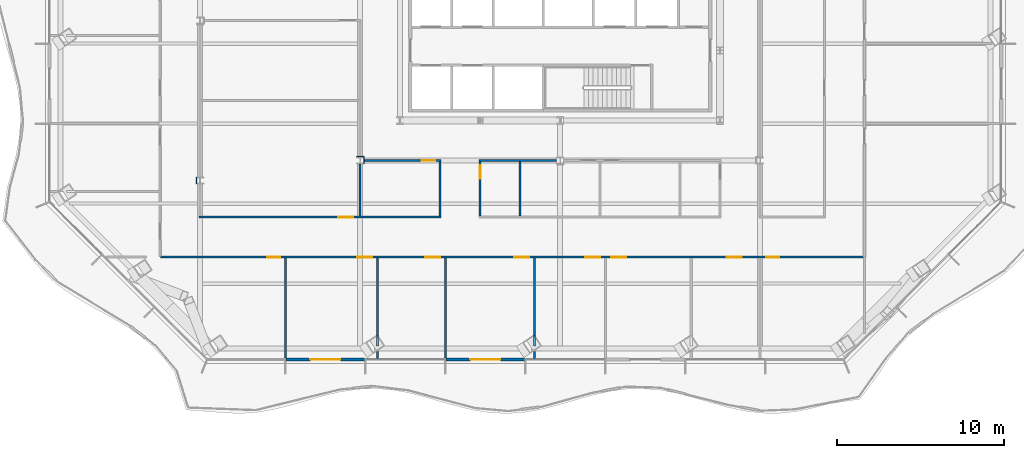
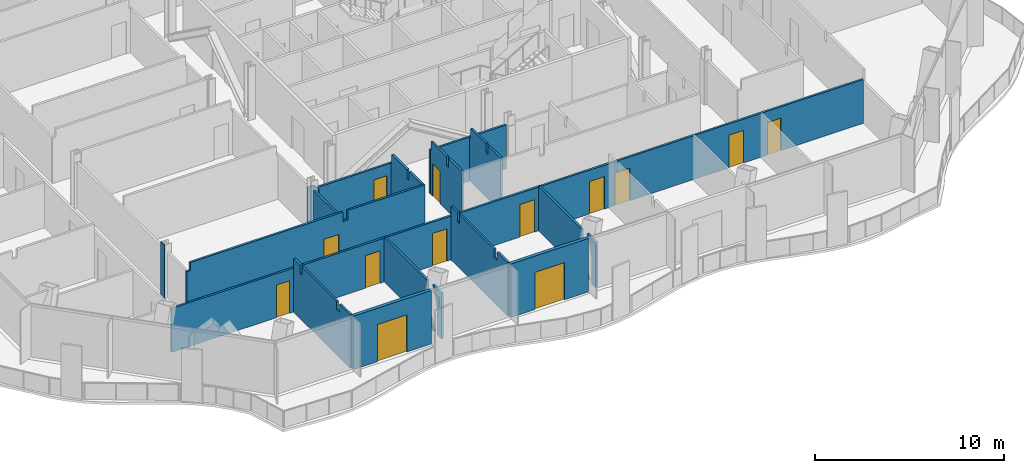
# One storey, part 7 of 22: 19 walls, 13 doors, 13 openings.
"""IFC4 building model written with IfcOpenShell, lengths in metres."""

from ifc_helpers import new_model, si_unit, direction, frame, frame_2d, origin, place, context, subcontext, project, spatial, polyline, rectangle, outline, extrude, material, layer, layer_set, type_object, element, fill, save


model = new_model("IFC4")

# Units and contexts
model_context = context("Model", 3, precision=1e-05, world=origin(), true_north=direction((0.0, 1.0)))
body_context = subcontext(model_context, "Body", "Model", "MODEL_VIEW")
ifc_project = project(units=[si_unit("LENGTHUNIT", "METRE"), si_unit("AREAUNIT", "SQUARE_METRE"), si_unit("VOLUMEUNIT", "CUBIC_METRE"), si_unit("PLANEANGLEUNIT", "RADIAN"), si_unit("MASSUNIT", "GRAM", prefix="KILO")], contexts=[model_context])

# Site, building, storey
site_placement = place(None, origin())
site = spatial("IfcSite", under=ifc_project, at=site_placement, CompositionType="ELEMENT")
building_placement = place(site_placement, origin())
building = spatial("IfcBuilding", under=site, at=building_placement, Name="Cairn Pilgrim Tower", CompositionType="ELEMENT")
storey_placement = place(building_placement, frame((0.0, 0.0, 105.0)))
storey = spatial("IfcBuildingStorey", under=building, at=storey_placement, Name="L25", CompositionType="ELEMENT", Elevation=105.0)

# Wall, opening, door
ifc_material_1 = material(Name="Bronze anodised aluminium insulated sandwich panel with mineral wool fill", Category="aluminium")
ifc_layer_1 = layer(ifc_material_1, 0.199951171875)
ifc_layer_set_1 = layer_set([ifc_layer_1], Name="BRONZE INFILL FRAME WALL 200")
wall_type_1 = type_object("IfcWallType", Name="BRONZE INFILL FRAME WALL 200", PredefinedType="NOTDEFINED", material=ifc_layer_set_1)
wall_1_placement = place(storey_placement, frame((-9.257080078125, -20.34130859375, 0.0), z_axis=(0.0, 0.0, 1.0), x_axis=(1.0, 0.0, 0.0)))
wall_1 = element("IfcWall", 1, at=wall_1_placement, inside=storey, type_object=wall_type_1, Name="Bronze infill frame wall IW-S2", PredefinedType="NOTDEFINED", context=body_context, shape_type="SweptSolid", body=[
    extrude(rectangle(XDim=4.739990234375, YDim=0.199951171875, at=frame_2d((2.3701171875, 0.0))), origin(), (0.0, 0.0, 1.0), 3.449951171875),
])
opening_1_placement = place(wall_1_placement, frame((1.469970703125, 0.0, 0.0)))
opening_1 = element("IfcOpeningElement", 2, at=opening_1_placement, cuts=wall_1, Name="Opening 2502B", PredefinedType="OPENING", context=body_context, shape_type="SweptSolid", body=[
    extrude(rectangle(XDim=1.800048828125, YDim=2.39990234375, at=frame_2d((0.89990234375, 1.199951171875))), frame((0.0, 0.10986328125, 0.0), z_axis=(0.0, -1.0, 0.0), x_axis=(1.0, 0.0, 0.0)), (0.0, 0.0, 1.0), 0.219970703125),
])
ifc_material_2 = material(Name="Bronze anodised aluminium frame with tinted low-E glass", Category="aluminium")
door_type_1 = type_object("IfcDoorType", Name="BALCONY SLIDING DOOR 1800x2400", OperationType="DOUBLE_DOOR_SLIDING", PredefinedType="DOOR", material=ifc_material_2)
door_1_placement = place(opening_1_placement, origin())
door_1 = element("IfcDoor", 3, at=door_1_placement, inside=storey, type_object=door_type_1, Name="Balcony sliding door 2502B", OperationType="SINGLE_SWING_LEFT", OverallHeight=2.39990234375, OverallWidth=1.800048828125, PredefinedType="DOOR", context=body_context, shape_type="SweptSolid", body=[
    extrude(rectangle(XDim=1.800048828125, YDim=2.39990234375, at=frame_2d((0.89990234375, 1.199951171875))), frame((0.0, 0.02490234375, 0.0), z_axis=(0.0, -1.0, 0.0), x_axis=(1.0, 0.0, 0.0)), (0.0, 0.0, 1.0), 0.050048828125),
])
fill(opening_1, door_1)

wall_2_placement = place(storey_placement, frame((0.343017578125, -20.34130859375, 0.0), z_axis=(0.0, 0.0, 1.0), x_axis=(1.0, 0.0, 0.0)))
wall_2 = element("IfcWall", 4, at=wall_2_placement, inside=storey, type_object=wall_type_1, Name="Bronze infill frame wall IW-S4", PredefinedType="NOTDEFINED", context=body_context, shape_type="SweptSolid", body=[
    extrude(rectangle(XDim=4.739990234375, YDim=0.199951171875, at=frame_2d((2.3701171875, 0.0))), origin(), (0.0, 0.0, 1.0), 3.449951171875),
])
opening_2_placement = place(wall_2_placement, frame((1.469970703125, 0.0, 0.0)))
opening_2 = element("IfcOpeningElement", 5, at=opening_2_placement, cuts=wall_2, Name="Opening 2504B", PredefinedType="OPENING", context=body_context, shape_type="SweptSolid", body=[
    extrude(rectangle(XDim=1.800048828125, YDim=2.39990234375, at=frame_2d((0.89990234375, 1.199951171875))), frame((0.0, 0.10986328125, 0.0), z_axis=(0.0, -1.0, 0.0), x_axis=(1.0, 0.0, 0.0)), (0.0, 0.0, 1.0), 0.219970703125),
])
door_2_placement = place(opening_2_placement, origin())
door_2 = element("IfcDoor", 6, at=door_2_placement, inside=storey, type_object=door_type_1, Name="Balcony sliding door 2504B", OperationType="SINGLE_SWING_LEFT", OverallHeight=2.39990234375, OverallWidth=1.800048828125, PredefinedType="DOOR", context=body_context, shape_type="SweptSolid", body=[
    extrude(rectangle(XDim=1.800048828125, YDim=2.39990234375, at=frame_2d((0.89990234375, 1.199951171875))), frame((0.0, 0.02490234375, 0.0), z_axis=(0.0, -1.0, 0.0), x_axis=(1.0, 0.0, 0.0)), (0.0, 0.0, 1.0), 0.050048828125),
])
fill(opening_2, door_2)

# Walls
ifc_material_3 = material(Name="Gypsum partition")
ifc_layer_2 = layer(ifc_material_3, 0.125)
ifc_layer_set_2 = layer_set([ifc_layer_2], Name="PARTITION 125 DRYWALL EI 60")
wall_type_2 = type_object("IfcWallType", Name="PARTITION 125 DRYWALL EI 60", PredefinedType="PARTITIONING", material=ifc_layer_set_2)
wall_3_placement = place(storey_placement, frame((-3.760986328125, -20.29443359375, 0.0), z_axis=(0.0, 0.0, 1.0), x_axis=(0.0, 1.0, 0.0)))
element("IfcWall", 7, at=wall_3_placement, inside=storey, type_object=wall_type_2, Name="PARTITION W001", PredefinedType="PARTITIONING", context=body_context, shape_type="SweptSolid", body=[
    extrude(outline(polyline([(0.0, 0.0), (0.4404296875, 0.0), (0.4404296875, 0.862548828125), (0.4404296875, 1.72509765625), (0.71044921875, 2.58740234375), (0.932861328125, 2.929931640625), (0.0, 2.929931640625), (0.0, 2.58740234375), (0.0, 1.72509765625), (0.0, 0.862548828125), (0.0, 0.0)])), frame((0.0, 0.0625, 0.0), z_axis=(0.0, -1.0, 0.0), x_axis=(1.0, 0.0, 0.0)), (0.0, 0.0, 1.0), 0.125),
])
wall_4_placement = place(storey_placement, frame((5.652099609375, -20.29443359375, 0.0), z_axis=(0.0, 0.0, 1.0), x_axis=(0.0, 1.0, 0.0)))
element("IfcWall", 8, at=wall_4_placement, inside=storey, type_object=wall_type_2, Name="PARTITION W002", PredefinedType="PARTITIONING", context=body_context, shape_type="SweptSolid", body=[
    extrude(outline(polyline([(0.0, 0.0), (0.43994140625, 0.0), (0.43994140625, 0.862548828125), (0.43994140625, 1.72509765625), (0.711181640625, 2.58740234375), (0.93359375, 2.929931640625), (0.0, 2.929931640625), (0.0, 2.58740234375), (0.0, 1.72509765625), (0.0, 0.862548828125), (0.0, 0.0)])), frame((0.0, 0.0625, 0.0), z_axis=(0.0, -1.0, 0.0), x_axis=(1.0, 0.0, 0.0)), (0.0, 0.0, 1.0), 0.125),
])
wall_5_placement = place(storey_placement, frame((-9.287109375, -20.241455078125, 0.0), z_axis=(0.0, 0.0, 1.0), x_axis=(0.0, 1.0, 0.0)))
element("IfcWall", 9, at=wall_5_placement, inside=storey, type_object=wall_type_2, Name="PARTITION W005", PredefinedType="PARTITIONING", context=body_context, shape_type="SweptSolid", body=[
    extrude(outline(polyline([(0.0, 0.0), (5.97900390625, 0.0), (5.97900390625, 3.449951171875), (5.26904296875, 3.449951171875), (5.26708984375, 2.929931640625), (5.069091796875, 2.929931640625), (5.067138671875, 3.449951171875), (1.419189453125, 3.449951171875), (1.4169921875, 2.929931640625), (1.119140625, 2.929931640625), (1.1171875, 3.449951171875), (0.0, 3.449951171875), (0.0, 0.0)])), frame((0.0, 0.0625, 0.0), z_axis=(0.0, -1.0, 0.0), x_axis=(1.0, 0.0, 0.0)), (0.0, 0.0, 1.0), 0.125),
])
wall_6_placement = place(storey_placement, frame((0.31298828125, -20.241455078125, 0.0), z_axis=(0.0, 0.0, 1.0), x_axis=(0.0, 1.0, 0.0)))
element("IfcWall", 10, at=wall_6_placement, inside=storey, type_object=wall_type_2, Name="PARTITION W006", PredefinedType="PARTITIONING", context=body_context, shape_type="SweptSolid", body=[
    extrude(outline(polyline([(0.0, 0.0), (5.97900390625, 0.0), (5.97900390625, 3.449951171875), (5.274169921875, 3.449951171875), (5.272216796875, 2.8798828125), (5.064208984375, 2.8798828125), (5.06201171875, 3.449951171875), (1.419189453125, 3.449951171875), (1.4169921875, 2.929931640625), (1.119140625, 2.929931640625), (1.1171875, 3.449951171875), (0.0, 3.449951171875), (0.0, 0.0)])), frame((0.0, 0.0625, 0.0), z_axis=(0.0, -1.0, 0.0), x_axis=(1.0, 0.0, 0.0)), (0.0, 0.0, 1.0), 0.125),
])
wall_7_placement = place(storey_placement, frame((-3.760986328125, -19.54345703125, 0.0), z_axis=(0.0, 0.0, 1.0), x_axis=(0.0, 1.0, 0.0)))
element("IfcWall", 11, at=wall_7_placement, inside=storey, type_object=wall_type_2, Name="PARTITION W008", PredefinedType="PARTITIONING", context=body_context, shape_type="SweptSolid", body=[
    extrude(outline(polyline([(0.0, 0.0), (5.281005859375, 0.0), (5.281005859375, 0.862548828125), (5.281005859375, 1.72509765625), (5.281005859375, 2.58740234375), (5.281005859375, 2.8798828125), (0.734130859375, 2.8798828125), (0.734130859375, 2.58740234375), (0.734130859375, 1.72509765625), (0.56005859375, 0.862548828125), (0.0, 0.0)])), frame((0.0, 0.0625, 0.0), z_axis=(0.0, -1.0, 0.0), x_axis=(1.0, 0.0, 0.0)), (0.0, 0.0, 1.0), 0.125),
])
wall_8_placement = place(storey_placement, frame((5.652099609375, -19.54248046875, 0.0), z_axis=(0.0, 0.0, 1.0), x_axis=(0.0, 1.0, 0.0)))
element("IfcWall", 12, at=wall_8_placement, inside=storey, type_object=wall_type_2, Name="PARTITION W009", PredefinedType="PARTITIONING", context=body_context, shape_type="SweptSolid", body=[
    extrude(outline(polyline([(0.0, 0.0), (5.280029296875, 0.0), (5.280029296875, 0.862548828125), (5.280029296875, 1.72509765625), (5.280029296875, 2.58740234375), (5.280029296875, 2.8798828125), (0.73291015625, 2.8798828125), (0.73291015625, 2.58740234375), (0.73291015625, 1.72509765625), (0.56005859375, 0.862548828125), (0.0, 0.0)])), frame((0.0, 0.0625, 0.0), z_axis=(0.0, -1.0, 0.0), x_axis=(1.0, 0.0, 0.0)), (0.0, 0.0, 1.0), 0.125),
])

# Wall, openings, doors
wall_9_placement = place(storey_placement, frame((-16.776611328125, -14.199951171875, 0.0), z_axis=(0.0, 0.0, 1.0), x_axis=(1.0, 0.0, 0.0)))
wall_9 = element("IfcWall", 13, at=wall_9_placement, inside=storey, type_object=wall_type_2, Name="PARTITION W013", PredefinedType="PARTITIONING", context=body_context, shape_type="SweptSolid", body=[
    extrude(outline(polyline([(0.0, 0.0), (42.177001953125, 0.0), (42.177001953125, 0.862548828125), (42.177001953125, 1.72509765625), (42.177001953125, 2.58740234375), (42.177001953125, 2.830078125), (0.0, 2.830078125), (0.0, 2.58740234375), (0.0, 1.72509765625), (0.0, 0.862548828125), (0.0, 0.0)])), frame((0.0, 0.0625, 0.0), z_axis=(0.0, -1.0, 0.0), x_axis=(1.0, 0.0, 0.0)), (0.0, 0.0, 1.0), 0.125),
])
opening_3_placement = place(wall_9_placement, frame((6.3896484375, 0.0, 0.0)))
opening_3 = element("IfcOpeningElement", 14, at=opening_3_placement, cuts=wall_9, Name="Opening 2501", PredefinedType="OPENING", context=body_context, shape_type="SweptSolid", body=[
    extrude(rectangle(XDim=0.800048828125, YDim=2.10009765625, at=frame_2d((0.39990234375, 1.050048828125))), frame((0.0, 0.072509765625, 0.0), z_axis=(0.0, -1.0, 0.0), x_axis=(1.0, 0.0, 0.0)), (0.0, 0.0, 1.0), 0.14501953125),
])
opening_4_placement = place(wall_9_placement, frame((11.815673828125, 0.0, 0.0)))
opening_4 = element("IfcOpeningElement", 15, at=opening_4_placement, cuts=wall_9, Name="Opening 2502", PredefinedType="OPENING", context=body_context, shape_type="SweptSolid", body=[
    extrude(rectangle(XDim=0.89990234375, YDim=2.10009765625, at=frame_2d((0.449951171875, 1.050048828125))), frame((0.0, 0.072509765625, 0.0), z_axis=(0.0, -1.0, 0.0), x_axis=(1.0, 0.0, 0.0)), (0.0, 0.0, 1.0), 0.14501953125),
])
opening_5_placement = place(wall_9_placement, frame((15.8896484375, 0.0, 0.0)))
opening_5 = element("IfcOpeningElement", 16, at=opening_5_placement, cuts=wall_9, Name="Opening 2503", PredefinedType="OPENING", context=body_context, shape_type="SweptSolid", body=[
    extrude(rectangle(XDim=0.89990234375, YDim=2.10009765625, at=frame_2d((0.449951171875, 1.050048828125))), frame((0.0, 0.072509765625, 0.0), z_axis=(0.0, -1.0, 0.0), x_axis=(1.0, 0.0, 0.0)), (0.0, 0.0, 1.0), 0.14501953125),
])
opening_6_placement = place(wall_9_placement, frame((21.228515625, 0.0, 0.0)))
opening_6 = element("IfcOpeningElement", 17, at=opening_6_placement, cuts=wall_9, Name="Opening 2504", PredefinedType="OPENING", context=body_context, shape_type="SweptSolid", body=[
    extrude(rectangle(XDim=0.89990234375, YDim=2.10009765625, at=frame_2d((0.449951171875, 1.050048828125))), frame((0.0, 0.072509765625, 0.0), z_axis=(0.0, -1.0, 0.0), x_axis=(1.0, 0.0, 0.0)), (0.0, 0.0, 1.0), 0.14501953125),
])
opening_7_placement = place(wall_9_placement, frame((25.489501953125, 0.0, 0.0)))
opening_7 = element("IfcOpeningElement", 18, at=opening_7_placement, cuts=wall_9, Name="Opening 2505", PredefinedType="OPENING", context=body_context, shape_type="SweptSolid", body=[
    extrude(rectangle(XDim=0.89990234375, YDim=2.10009765625, at=frame_2d((0.449951171875, 1.050048828125))), frame((0.0, 0.072509765625, 0.0), z_axis=(0.0, -1.0, 0.0), x_axis=(1.0, 0.0, 0.0)), (0.0, 0.0, 1.0), 0.14501953125),
])
opening_8_placement = place(wall_9_placement, frame((27.04248046875, 0.0, 0.0)))
opening_8 = element("IfcOpeningElement", 19, at=opening_8_placement, cuts=wall_9, Name="Opening 2506", PredefinedType="OPENING", context=body_context, shape_type="SweptSolid", body=[
    extrude(rectangle(XDim=0.89990234375, YDim=2.10009765625, at=frame_2d((0.449951171875, 1.050048828125))), frame((0.0, 0.072509765625, 0.0), z_axis=(0.0, -1.0, 0.0), x_axis=(1.0, 0.0, 0.0)), (0.0, 0.0, 1.0), 0.14501953125),
])
opening_9_placement = place(wall_9_placement, frame((33.9765625, 0.0, 0.0)))
opening_9 = element("IfcOpeningElement", 20, at=opening_9_placement, cuts=wall_9, Name="Opening 2507", PredefinedType="OPENING", context=body_context, shape_type="SweptSolid", body=[
    extrude(rectangle(XDim=0.89990234375, YDim=2.10009765625, at=frame_2d((0.449951171875, 1.050048828125))), frame((0.0, 0.072509765625, 0.0), z_axis=(0.0, -1.0, 0.0), x_axis=(1.0, 0.0, 0.0)), (0.0, 0.0, 1.0), 0.14501953125),
])
opening_10_placement = place(wall_9_placement, frame((36.339599609375, 0.0, 0.0)))
opening_10 = element("IfcOpeningElement", 21, at=opening_10_placement, cuts=wall_9, Name="Opening 2529", PredefinedType="OPENING", context=body_context, shape_type="SweptSolid", body=[
    extrude(rectangle(XDim=0.800048828125, YDim=2.10009765625, at=frame_2d((0.39990234375, 1.050048828125))), frame((0.0, 0.072509765625, 0.0), z_axis=(0.0, -1.0, 0.0), x_axis=(1.0, 0.0, 0.0)), (0.0, 0.0, 1.0), 0.14501953125),
])
ifc_material_4 = material(Name="Steel-faced fire door leaf", Category="steel")
door_type_2 = type_object("IfcDoorType", Name="FIRE DOOR 800x2100 FD30S", OperationType="NOTDEFINED", PredefinedType="DOOR", material=ifc_material_4)
door_3_placement = place(opening_3_placement, frame((0.800048828125, 0.0, 0.0), z_axis=(0.0, 0.0, 1.0), x_axis=(-1.0, 0.0, 0.0)))
door_3 = element("IfcDoor", 22, at=door_3_placement, inside=storey, type_object=door_type_2, Name="DOOR 2501", OperationType="SINGLE_SWING_RIGHT", OverallHeight=2.10009765625, OverallWidth=0.800048828125, PredefinedType="DOOR", context=body_context, shape_type="SweptSolid", body=[
    extrude(rectangle(XDim=0.800048828125, YDim=2.10009765625, at=frame_2d((0.39990234375, 1.050048828125))), frame((0.0, 0.02490234375, 0.0), z_axis=(0.0, -1.0, 0.0), x_axis=(1.0, 0.0, 0.0)), (0.0, 0.0, 1.0), 0.050048828125),
])
fill(opening_3, door_3)
door_4_placement = place(opening_10_placement, frame((0.800048828125, 0.0, 0.0), z_axis=(0.0, 0.0, 1.0), x_axis=(-1.0, 0.0, 0.0)))
door_4 = element("IfcDoor", 23, at=door_4_placement, inside=storey, type_object=door_type_2, Name="DOOR 2529", OperationType="SINGLE_SWING_RIGHT", OverallHeight=2.10009765625, OverallWidth=0.800048828125, PredefinedType="DOOR", context=body_context, shape_type="SweptSolid", body=[
    extrude(rectangle(XDim=0.800048828125, YDim=2.10009765625, at=frame_2d((0.39990234375, 1.050048828125))), frame((0.0, 0.02490234375, 0.0), z_axis=(0.0, -1.0, 0.0), x_axis=(1.0, 0.0, 0.0)), (0.0, 0.0, 1.0), 0.050048828125),
])
fill(opening_10, door_4)
door_type_3 = type_object("IfcDoorType", Name="FIRE DOOR 900x2100 FD30S", OperationType="NOTDEFINED", PredefinedType="DOOR", material=ifc_material_4)
door_5_placement = place(opening_4_placement, frame((0.89990234375, 0.0, 0.0), z_axis=(0.0, 0.0, 1.0), x_axis=(-1.0, 0.0, 0.0)))
door_5 = element("IfcDoor", 24, at=door_5_placement, inside=storey, type_object=door_type_3, Name="DOOR 2502", OperationType="SINGLE_SWING_LEFT", OverallHeight=2.10009765625, OverallWidth=0.89990234375, PredefinedType="DOOR", context=body_context, shape_type="SweptSolid", body=[
    extrude(rectangle(XDim=0.89990234375, YDim=2.10009765625, at=frame_2d((0.449951171875, 1.050048828125))), frame((0.0, 0.02490234375, 0.0), z_axis=(0.0, -1.0, 0.0), x_axis=(1.0, 0.0, 0.0)), (0.0, 0.0, 1.0), 0.050048828125),
])
fill(opening_4, door_5)
door_6_placement = place(opening_5_placement, frame((0.89990234375, 0.0, 0.0), z_axis=(0.0, 0.0, 1.0), x_axis=(-1.0, 0.0, 0.0)))
door_6 = element("IfcDoor", 25, at=door_6_placement, inside=storey, type_object=door_type_3, Name="DOOR 2503", OperationType="SINGLE_SWING_RIGHT", OverallHeight=2.10009765625, OverallWidth=0.89990234375, PredefinedType="DOOR", context=body_context, shape_type="SweptSolid", body=[
    extrude(rectangle(XDim=0.89990234375, YDim=2.10009765625, at=frame_2d((0.449951171875, 1.050048828125))), frame((0.0, 0.02490234375, 0.0), z_axis=(0.0, -1.0, 0.0), x_axis=(1.0, 0.0, 0.0)), (0.0, 0.0, 1.0), 0.050048828125),
])
fill(opening_5, door_6)
door_7_placement = place(opening_6_placement, frame((0.89990234375, 0.0, 0.0), z_axis=(0.0, 0.0, 1.0), x_axis=(-1.0, 0.0, 0.0)))
door_7 = element("IfcDoor", 26, at=door_7_placement, inside=storey, type_object=door_type_3, Name="DOOR 2504", OperationType="SINGLE_SWING_LEFT", OverallHeight=2.10009765625, OverallWidth=0.89990234375, PredefinedType="DOOR", context=body_context, shape_type="SweptSolid", body=[
    extrude(rectangle(XDim=0.89990234375, YDim=2.10009765625, at=frame_2d((0.449951171875, 1.050048828125))), frame((0.0, 0.02490234375, 0.0), z_axis=(0.0, -1.0, 0.0), x_axis=(1.0, 0.0, 0.0)), (0.0, 0.0, 1.0), 0.050048828125),
])
fill(opening_6, door_7)
door_8_placement = place(opening_7_placement, frame((0.89990234375, 0.0, 0.0), z_axis=(0.0, 0.0, 1.0), x_axis=(-1.0, 0.0, 0.0)))
door_8 = element("IfcDoor", 27, at=door_8_placement, inside=storey, type_object=door_type_3, Name="DOOR 2505", OperationType="SINGLE_SWING_RIGHT", OverallHeight=2.10009765625, OverallWidth=0.89990234375, PredefinedType="DOOR", context=body_context, shape_type="SweptSolid", body=[
    extrude(rectangle(XDim=0.89990234375, YDim=2.10009765625, at=frame_2d((0.449951171875, 1.050048828125))), frame((0.0, 0.02490234375, 0.0), z_axis=(0.0, -1.0, 0.0), x_axis=(1.0, 0.0, 0.0)), (0.0, 0.0, 1.0), 0.050048828125),
])
fill(opening_7, door_8)
door_9_placement = place(opening_8_placement, frame((0.89990234375, 0.0, 0.0), z_axis=(0.0, 0.0, 1.0), x_axis=(-1.0, 0.0, 0.0)))
door_9 = element("IfcDoor", 28, at=door_9_placement, inside=storey, type_object=door_type_3, Name="DOOR 2506", OperationType="SINGLE_SWING_LEFT", OverallHeight=2.10009765625, OverallWidth=0.89990234375, PredefinedType="DOOR", context=body_context, shape_type="SweptSolid", body=[
    extrude(rectangle(XDim=0.89990234375, YDim=2.10009765625, at=frame_2d((0.449951171875, 1.050048828125))), frame((0.0, 0.02490234375, 0.0), z_axis=(0.0, -1.0, 0.0), x_axis=(1.0, 0.0, 0.0)), (0.0, 0.0, 1.0), 0.050048828125),
])
fill(opening_8, door_9)
door_10_placement = place(opening_9_placement, frame((0.89990234375, 0.0, 0.0), z_axis=(0.0, 0.0, 1.0), x_axis=(-1.0, 0.0, 0.0)))
door_10 = element("IfcDoor", 29, at=door_10_placement, inside=storey, type_object=door_type_3, Name="DOOR 2507", OperationType="SINGLE_SWING_RIGHT", OverallHeight=2.10009765625, OverallWidth=0.89990234375, PredefinedType="DOOR", context=body_context, shape_type="SweptSolid", body=[
    extrude(rectangle(XDim=0.89990234375, YDim=2.10009765625, at=frame_2d((0.449951171875, 1.050048828125))), frame((0.0, 0.02490234375, 0.0), z_axis=(0.0, -1.0, 0.0), x_axis=(1.0, 0.0, 0.0)), (0.0, 0.0, 1.0), 0.050048828125),
])
fill(opening_9, door_10)

# Wall, opening, door
wall_10_placement = place(storey_placement, frame((-14.46240234375, -11.800048828125, 0.0), z_axis=(0.0, 0.0, 1.0), x_axis=(1.0, 0.0, 0.0)))
wall_10 = element("IfcWall", 30, at=wall_10_placement, inside=storey, type_object=wall_type_2, Name="PARTITION W016", PredefinedType="PARTITIONING", context=body_context, shape_type="SweptSolid", body=[
    extrude(outline(polyline([(0.0, 0.0), (14.52490234375, 0.0), (14.52490234375, 3.449951171875), (9.8125, 3.449951171875), (9.810546875, 2.830078125), (9.512451171875, 2.830078125), (9.510498046875, 3.449951171875), (0.21240234375, 3.449951171875), (0.21044921875, 2.929931640625), (0.0, 2.929931640625), (0.0, 0.0)])), frame((0.0, 0.0625, 0.0), z_axis=(0.0, -1.0, 0.0), x_axis=(1.0, 0.0, 0.0)), (0.0, 0.0, 1.0), 0.125),
])
opening_11_placement = place(wall_10_placement, frame((8.362548828125, 0.0, 0.0)))
opening_11 = element("IfcOpeningElement", 31, at=opening_11_placement, cuts=wall_10, Name="Opening 2530", PredefinedType="OPENING", context=body_context, shape_type="SweptSolid", body=[
    extrude(rectangle(XDim=0.89990234375, YDim=2.10009765625, at=frame_2d((0.449951171875, 1.050048828125))), frame((0.0, 0.072509765625, 0.0), z_axis=(0.0, -1.0, 0.0), x_axis=(1.0, 0.0, 0.0)), (0.0, 0.0, 1.0), 0.14501953125),
])
door_11_placement = place(opening_11_placement, origin())
door_11 = element("IfcDoor", 32, at=door_11_placement, inside=storey, type_object=door_type_3, Name="DOOR 2530", OperationType="SINGLE_SWING_LEFT", OverallHeight=2.10009765625, OverallWidth=0.89990234375, PredefinedType="DOOR", context=body_context, shape_type="SweptSolid", body=[
    extrude(rectangle(XDim=0.89990234375, YDim=2.10009765625, at=frame_2d((0.449951171875, 1.050048828125))), frame((0.0, 0.02490234375, 0.0), z_axis=(0.0, -1.0, 0.0), x_axis=(1.0, 0.0, 0.0)), (0.0, 0.0, 1.0), 0.050048828125),
])
fill(opening_11, door_11)

# Walls
wall_11_placement = place(storey_placement, frame((-4.800048828125, -11.737548828125, 0.0), z_axis=(0.0, 0.0, 1.0), x_axis=(0.0, 1.0, 0.0)))
element("IfcWall", 33, at=wall_11_placement, inside=storey, type_object=wall_type_2, Name="PARTITION W020", PredefinedType="PARTITIONING", context=body_context, shape_type="SweptSolid", body=[
    extrude(rectangle(XDim=3.125, YDim=0.125, at=frame_2d((1.5625, 0.0))), origin(), (0.0, 0.0, 1.0), 2.830078125),
])
wall_12_placement = place(storey_placement, frame((0.0, -11.737548828125, 0.0), z_axis=(0.0, 0.0, 1.0), x_axis=(0.0, 1.0, 0.0)))
element("IfcWall", 34, at=wall_12_placement, inside=storey, type_object=wall_type_2, Name="PARTITION W021", PredefinedType="PARTITIONING", context=body_context, shape_type="SweptSolid", body=[
    extrude(outline(polyline([(0.0, 0.0), (3.275146484375, 0.0), (3.27490234375, 2.830078125), (3.1875, 2.830078125), (3.185546875, 3.449951171875), (1.5703125, 3.449951171875), (1.568115234375, 2.8798828125), (1.360107421875, 2.8798828125), (1.358154296875, 3.449951171875), (0.0, 3.449951171875), (0.0, 0.0)])), frame((0.0, 0.0625, 0.0), z_axis=(0.0, -1.0, 0.0), x_axis=(1.0, 0.0, 0.0)), (0.0, 0.0, 1.0), 0.125),
])

# Wall, opening, door
wall_13_placement = place(storey_placement, frame((2.39990234375, -11.737548828125, 0.0), z_axis=(0.0, 0.0, 1.0), x_axis=(0.0, 1.0, 0.0)))
wall_13 = element("IfcWall", 35, at=wall_13_placement, inside=storey, type_object=wall_type_2, Name="PARTITION W022", PredefinedType="PARTITIONING", context=body_context, shape_type="SweptSolid", body=[
    extrude(outline(polyline([(0.0, 0.0), (3.275146484375, 0.0), (3.27490234375, 2.830078125), (3.1875, 2.830078125), (3.185546875, 3.449951171875), (1.5703125, 3.449951171875), (1.568115234375, 2.8798828125), (1.360107421875, 2.8798828125), (1.358154296875, 3.449951171875), (0.0, 3.449951171875), (0.0, 0.0)])), frame((0.0, 0.0625, 0.0), z_axis=(0.0, -1.0, 0.0), x_axis=(1.0, 0.0, 0.0)), (0.0, 0.0, 1.0), 0.125),
])
opening_12_placement = place(wall_13_placement, frame((2.237548828125, 0.0, 0.0)))
opening_12 = element("IfcOpeningElement", 36, at=opening_12_placement, cuts=wall_13, Name="Opening 2535", PredefinedType="OPENING", context=body_context, shape_type="SweptSolid", body=[
    extrude(rectangle(XDim=0.800048828125, YDim=2.10009765625, at=frame_2d((0.39990234375, 1.050048828125))), frame((0.0, 0.072509765625, 0.0), z_axis=(0.0, -1.0, 0.0), x_axis=(1.0, 0.0, 0.0)), (0.0, 0.0, 1.0), 0.14501953125),
])
door_12_placement = place(opening_12_placement, frame((0.800048828125, 0.0, 0.0), z_axis=(0.0, 0.0, 1.0), x_axis=(-1.0, 0.0, 0.0)))
door_12 = element("IfcDoor", 37, at=door_12_placement, inside=storey, type_object=door_type_2, Name="DOOR 2535", OperationType="SINGLE_SWING_RIGHT", OverallHeight=2.10009765625, OverallWidth=0.800048828125, PredefinedType="DOOR", context=body_context, shape_type="SweptSolid", body=[
    extrude(rectangle(XDim=0.800048828125, YDim=2.10009765625, at=frame_2d((0.39990234375, 1.050048828125))), frame((0.0, 0.02490234375, 0.0), z_axis=(0.0, -1.0, 0.0), x_axis=(1.0, 0.0, 0.0)), (0.0, 0.0, 1.0), 0.050048828125),
])
fill(opening_12, door_12)

# Wall
wall_14_placement = place(storey_placement, frame((4.800048828125, -11.737548828125, 0.0), z_axis=(0.0, 0.0, 1.0), x_axis=(0.0, 1.0, 0.0)))
element("IfcWall", 38, at=wall_14_placement, inside=storey, type_object=wall_type_2, Name="PARTITION W023", PredefinedType="PARTITIONING", context=body_context, shape_type="SweptSolid", body=[
    extrude(outline(polyline([(0.0, 0.0), (3.275146484375, 0.0), (3.27490234375, 2.830078125), (3.1875, 2.830078125), (3.185546875, 3.449951171875), (1.5703125, 3.449951171875), (1.568115234375, 2.8798828125), (1.360107421875, 2.8798828125), (1.358154296875, 3.449951171875), (0.0, 3.449951171875), (0.0, 0.0)])), frame((0.0, 0.0625, 0.0), z_axis=(0.0, -1.0, 0.0), x_axis=(1.0, 0.0, 0.0)), (0.0, 0.0, 1.0), 0.125),
])

# Wall, opening, door
wall_15_placement = place(storey_placement, frame((-4.595458984375, -8.39990234375, 0.0), z_axis=(0.0, 0.0, 1.0), x_axis=(1.0, 0.0, 0.0)))
wall_15 = element("IfcWall", 39, at=wall_15_placement, inside=storey, type_object=wall_type_2, Name="PARTITION W032", PredefinedType="PARTITIONING", context=body_context, shape_type="SweptSolid", body=[
    extrude(rectangle(XDim=4.657958984375, YDim=0.125, at=frame_2d((2.3291015625, 0.0))), origin(), (0.0, 0.0, 1.0), 2.830078125),
])
opening_13_placement = place(wall_15_placement, frame((3.49560546875, 0.0, 0.0)))
opening_13 = element("IfcOpeningElement", 40, at=opening_13_placement, cuts=wall_15, Name="Opening 2534", PredefinedType="OPENING", context=body_context, shape_type="SweptSolid", body=[
    extrude(rectangle(XDim=0.800048828125, YDim=2.10009765625, at=frame_2d((0.39990234375, 1.050048828125))), frame((0.0, 0.072509765625, 0.0), z_axis=(0.0, -1.0, 0.0), x_axis=(1.0, 0.0, 0.0)), (0.0, 0.0, 1.0), 0.14501953125),
])
door_13_placement = place(opening_13_placement, frame((0.800048828125, 0.0, 0.0), z_axis=(0.0, 0.0, 1.0), x_axis=(-1.0, 0.0, 0.0)))
door_13 = element("IfcDoor", 41, at=door_13_placement, inside=storey, type_object=door_type_2, Name="DOOR 2534", OperationType="SINGLE_SWING_LEFT", OverallHeight=2.10009765625, OverallWidth=0.800048828125, PredefinedType="DOOR", context=body_context, shape_type="SweptSolid", body=[
    extrude(rectangle(XDim=0.800048828125, YDim=2.10009765625, at=frame_2d((0.39990234375, 1.050048828125))), frame((0.0, 0.02490234375, 0.0), z_axis=(0.0, -1.0, 0.0), x_axis=(1.0, 0.0, 0.0)), (0.0, 0.0, 1.0), 0.050048828125),
])
fill(opening_13, door_13)

# Walls
wall_16_placement = place(storey_placement, frame((2.33740234375, -8.39990234375, 0.0), z_axis=(0.0, 0.0, 1.0), x_axis=(1.0, 0.0, 0.0)))
element("IfcWall", 42, at=wall_16_placement, inside=storey, type_object=wall_type_2, Name="PARTITION W033", PredefinedType="PARTITIONING", context=body_context, shape_type="SweptSolid", body=[
    extrude(rectangle(XDim=4.658203125, YDim=0.125, at=frame_2d((2.3291015625, 0.0))), origin(), (0.0, 0.0, 1.0), 2.830078125),
])
ifc_layer_3 = layer(ifc_material_3, 0.050048828125)
ifc_layer_set_3 = layer_set([ifc_layer_3], Name="PARTITION 50 DRYWALL EI 60")
wall_type_3 = type_object("IfcWallType", Name="PARTITION 50 DRYWALL EI 60", PredefinedType="PARTITIONING", material=ifc_layer_set_3)
wall_17_placement = place(storey_placement, frame((-14.62451171875, -9.79638671875, 0.0), z_axis=(0.0, 0.0, 1.0), x_axis=(0.0, 1.0, 0.0)))
element("IfcWall", 43, at=wall_17_placement, inside=storey, type_object=wall_type_3, Name="COLUMN CASING WC01", PredefinedType="PARTITIONING", context=body_context, shape_type="SweptSolid", body=[
    extrude(rectangle(XDim=0.392822265625, YDim=0.050048828125, at=frame_2d((0.1962890625, 0.0))), origin(), (0.0, 0.0, 1.0), 3.449951171875),
])
wall_18_placement = place(storey_placement, frame((-4.570556640625, -8.612548828125, 0.0), z_axis=(0.0, 0.0, 1.0), x_axis=(0.0, 1.0, 0.0)))
element("IfcWall", 44, at=wall_18_placement, inside=storey, type_object=wall_type_3, Name="COLUMN CASING WC03", PredefinedType="PARTITIONING", context=body_context, shape_type="SweptSolid", body=[
    extrude(rectangle(XDim=0.425048828125, YDim=0.050048828125, at=frame_2d((0.21240234375, 0.0))), origin(), (0.0, 0.0, 1.0), 2.830078125),
])
wall_19_placement = place(storey_placement, frame((-5.00439453125, -8.16259765625, 0.0), z_axis=(0.0, 0.0, 1.0), x_axis=(1.0, 0.0, 0.0)))
element("IfcWall", 45, at=wall_19_placement, inside=storey, type_object=wall_type_3, Name="COLUMN CASING WC06", PredefinedType="PARTITIONING", context=body_context, shape_type="SweptSolid", body=[
    extrude(rectangle(XDim=0.408935546875, YDim=0.050048828125, at=frame_2d((0.20458984375, 0.0))), origin(), (0.0, 0.0, 1.0), 2.830078125),
])

save(model, "model.ifc")
